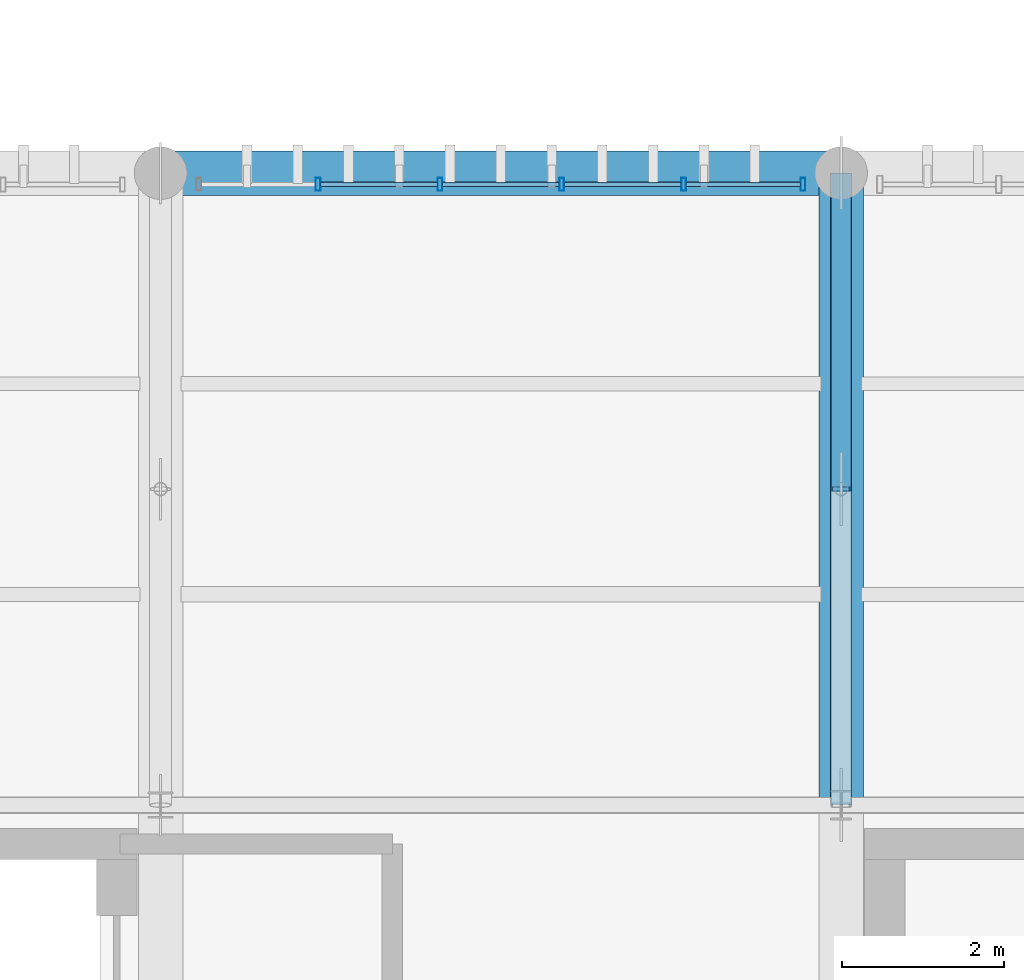
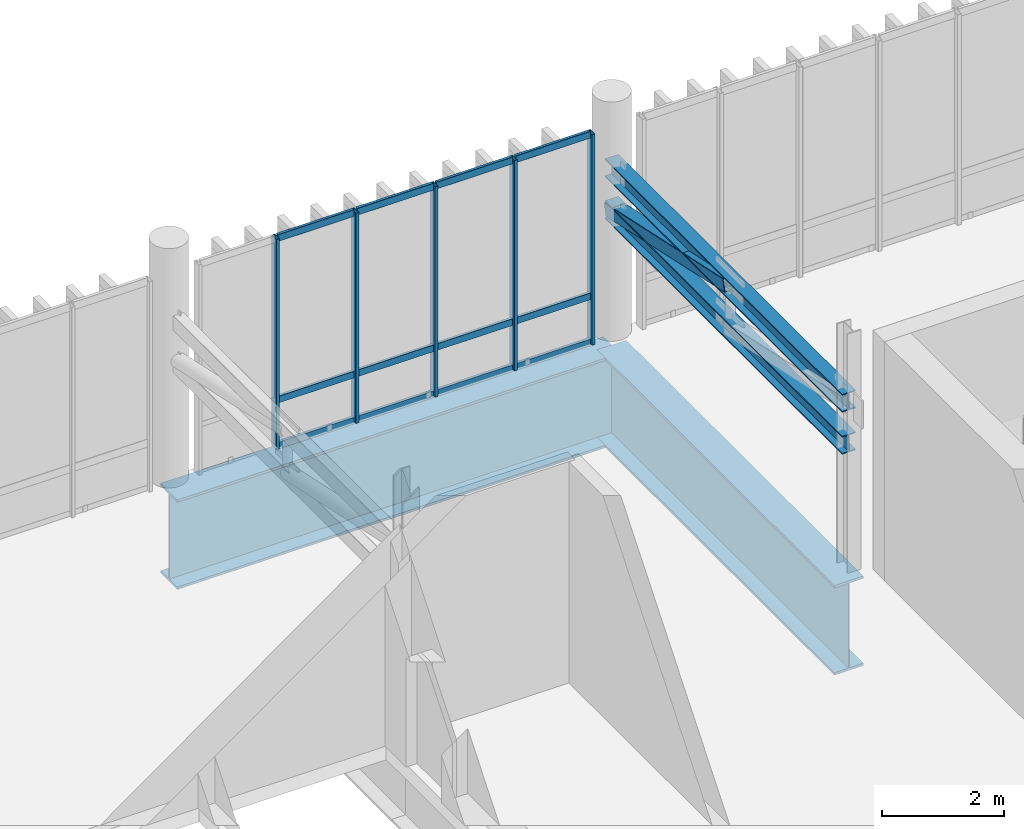
# One storey, part 17 of 81: 20 members, 2 beams, 1 element without a shape of its own.
"""IFC4 building model written with IfcOpenShell, lengths in metres."""

import ifcopenshell
import ifcopenshell.guid

model = None  # the IFC model being written
_history = None  # IfcOwnerHistory: only IFC2X3 demands one
_inside = {}  # id of a spatial element -> (the spatial element, [elements in it])
_under = {}  # id of a project, library or spatial element -> (it, [spatial elements below it])
_declared = {}  # id of a project -> (the project, [libraries it declares])
_typed = {}  # id of a type object -> (the type object, [elements of that type])
_made_of = {}  # id of a material, layer set ... -> (it, [elements and type objects made of it])


def new_model(schema):
    """Start an empty IFC model of exactly this schema.

    Asked for "IFC4X3", IfcOpenShell would pick the latest addendum, in which some entities
    have other attributes; the version numbers below select the first issue.
    IFC2X3 requires an IfcOwnerHistory on every rooted entity: one is made here for all.
    """
    global model, _history
    if schema == "IFC4X3":
        model = ifcopenshell.file(schema_version=(4, 3, 0, 0))
    else:
        model = ifcopenshell.file(schema=schema)
    _inside.clear()
    _under.clear()
    _declared.clear()
    _typed.clear()
    _made_of.clear()
    _history = None
    if model.schema == "IFC2X3":
        org = make("IfcOrganization", Name="unknown")
        user = make(
            "IfcPersonAndOrganization",
            ThePerson=make("IfcPerson", FamilyName="unknown"),
            TheOrganization=org,
        )
        app = make(
            "IfcApplication",
            ApplicationDeveloper=org,
            Version="unknown",
            ApplicationFullName="unknown",
            ApplicationIdentifier="unknown",
        )
        _history = make(
            "IfcOwnerHistory",
            OwningUser=user,
            OwningApplication=app,
            ChangeAction="ADDED",
            CreationDate=0,
        )
    return model


def make(cls, **values):
    """One entity of the class cls with the attributes given. An attribute that is None is left unset."""
    return model.create_entity(
        cls, **{name: value for name, value in values.items() if value is not None}
    )


def rooted(cls, **values):
    """An entity with a GlobalId (a new one), such as an element, a storey or a relation."""
    return make(cls, GlobalId=ifcopenshell.guid.new(), OwnerHistory=_history, **values)


def si_unit(unit_type, name, prefix=None):
    """IfcSIUnit, for example si_unit("LENGTHUNIT", "METRE", prefix="MILLI")."""
    return make("IfcSIUnit", UnitType=unit_type, Prefix=prefix, Name=name)


def assignment(units):
    """IfcUnitAssignment: the units of a project."""
    return None if units is None else make("IfcUnitAssignment", Units=units)


def point(xyz):
    """IfcCartesianPoint."""
    return None if xyz is None else make("IfcCartesianPoint", Coordinates=xyz)


def direction(xyz):
    """IfcDirection."""
    return None if xyz is None else make("IfcDirection", DirectionRatios=xyz)


def frame(location, z_axis=None, x_axis=None):
    """IfcAxis2Placement3D, a coordinate frame: its origin and axes. An axis left out is left unset."""
    return make(
        "IfcAxis2Placement3D",
        Location=point(location),
        Axis=direction(z_axis),
        RefDirection=direction(x_axis),
    )


def frame_2d(location, x_axis=None):
    """IfcAxis2Placement2D, a coordinate frame in the plane: its origin and x axis."""
    return make(
        "IfcAxis2Placement2D", Location=point(location), RefDirection=direction(x_axis)
    )


def origin_with_axes():
    """The frame at (0, 0, 0) with the z axis (0, 0, 1) and the x axis (1, 0, 0) written out."""
    return frame((0.0, 0.0, 0.0), z_axis=(0.0, 0.0, 1.0), x_axis=(1.0, 0.0, 0.0))


def origin_2d_with_axis():
    """The frame at (0, 0) in the plane with the x axis (1, 0) written out."""
    return frame_2d((0.0, 0.0), x_axis=(1.0, 0.0))


def place(relative_to, where):
    """IfcLocalPlacement: puts the frame where relative to a parent placement (None: the world)."""
    return make(
        "IfcLocalPlacement", PlacementRelTo=relative_to, RelativePlacement=where
    )


def context(
    kind, dimensions, precision=None, world=None, true_north=None, identifier=None
):
    """IfcGeometricRepresentationContext, for example the 3D "Model" context."""
    return make(
        "IfcGeometricRepresentationContext",
        ContextIdentifier=identifier,
        ContextType=kind,
        CoordinateSpaceDimension=dimensions,
        Precision=precision,
        WorldCoordinateSystem=world,
        TrueNorth=true_north,
    )


def subcontext(parent, identifier, kind, view, scale=None):
    """IfcGeometricRepresentationSubContext, for example "Body" below "Model"."""
    return make(
        "IfcGeometricRepresentationSubContext",
        ContextIdentifier=identifier,
        ContextType=kind,
        ParentContext=parent,
        TargetScale=scale,
        TargetView=view,
    )


def project(units=None, contexts=None):
    """IfcProject with its units and contexts."""
    return rooted(
        "IfcProject",
        Name="project",
        RepresentationContexts=contexts,
        UnitsInContext=assignment(units),
    )


def spatial(cls, under=None, at=None, **own):
    """A site, building, storey or space (cls), placed at a placement, below another one or the project."""
    s = rooted(cls, ObjectPlacement=at, **own)
    if under is not None:
        _under.setdefault(under.id(), (under, []))[1].append(s)
    return s


def profile(cls, at=None, kind="AREA", **sizes):
    """A parametric profile (cls). Its sizes go by their IFC names, for example OverallWidth=200.0."""
    return make(cls, ProfileType=kind, Position=at, **sizes)


def hollow_rectangle(**sizes):
    """IfcRectangleHollowProfileDef."""
    return profile("IfcRectangleHollowProfileDef", **sizes)


def i_section(**sizes):
    """IfcIShapeProfileDef."""
    return profile("IfcIShapeProfileDef", **sizes)


def extrude(swept, where, along, depth):
    """IfcExtrudedAreaSolid: the profile swept, set in the frame where, extruded along a direction by depth."""
    return make(
        "IfcExtrudedAreaSolid",
        SweptArea=swept,
        Position=where,
        ExtrudedDirection=direction(along),
        Depth=depth,
    )


def shape(context_of_items, identifier, shape_type, items):
    """IfcShapeRepresentation: the items that make up one representation, for example the "Body"."""
    return make(
        "IfcShapeRepresentation",
        ContextOfItems=context_of_items,
        RepresentationIdentifier=identifier,
        RepresentationType=shape_type,
        Items=items,
    )


def material(Name=None, Category=None):
    """IfcMaterial."""
    return make("IfcMaterial", Name=Name, Category=Category)


def material_profile(
    of_material, cross_section, Name=None, Category=None, Priority=None
):
    """IfcMaterialProfile: a cross section and its material."""
    return make(
        "IfcMaterialProfile",
        Name=Name,
        Material=of_material,
        Profile=cross_section,
        Priority=Priority,
        Category=Category,
    )


def profile_set(profiles, Name=None, composite=None):
    """IfcMaterialProfileSet."""
    return make(
        "IfcMaterialProfileSet",
        Name=Name,
        MaterialProfiles=profiles,
        CompositeProfile=composite,
    )


def made_of(thing, what):
    """Note that an element or type object is made of a material, layer set ...; save() writes the relation."""
    if what is not None:
        _made_of.setdefault(what.id(), (what, []))[1].append(thing)
    return thing


def type_object(cls, material=None, **own):
    """A type object (cls), such as IfcWallType, which elements share."""
    return made_of(rooted(cls, **own), material)


def element(
    cls,
    number,
    at=None,
    inside=None,
    cuts=None,
    type_object=None,
    material=None,
    context=None,
    identifier="Body",
    shape_type=None,
    held_by="IfcProductDefinitionShape",
    body=None,
    shapes=None,
    **own,
):
    """One element of the class cls, such as IfcWall. Its Tag is "e" and its number.

    at: its placement. inside: the storey or other place that contains it. cuts: it is an
    opening in that element (IfcRelVoidsElement). A single representation is given by context,
    identifier, shape_type and body (its items); several are given by shapes. held_by: the class
    of the entity that holds the representations. save() writes the other relations.
    """
    e = rooted(cls, Tag="e%d" % number, ObjectPlacement=at, **own)
    if body is not None:
        shapes = [shape(context, identifier, shape_type, body)]
    if shapes is not None:
        e.Representation = make(held_by, Representations=shapes)
    if inside is not None:
        _inside.setdefault(inside.id(), (inside, []))[1].append(e)
    if cuts is not None:
        rooted(
            "IfcRelVoidsElement", RelatingBuildingElement=cuts, RelatedOpeningElement=e
        )
    if type_object is not None:
        _typed.setdefault(type_object.id(), (type_object, []))[1].append(e)
    return made_of(e, material)


def aggregate(whole, parts):
    """IfcRelAggregates: a whole, such as a stair, and the parts it consists of."""
    return rooted("IfcRelAggregates", RelatingObject=whole, RelatedObjects=parts)


def save(model, path):
    """Write the relations noted so far, then the file.

    IfcRelAggregates (storeys below a building ...), IfcRelContainedInSpatialStructure (elements
    in a storey), IfcRelDefinesByType, IfcRelAssociatesMaterial and IfcRelDeclares: one each for
    every whole, place, type object, material and project.
    """
    for whole, parts in _under.values():
        aggregate(whole, parts)
    for where, things in _inside.values():
        rooted(
            "IfcRelContainedInSpatialStructure",
            RelatedElements=things,
            RelatingStructure=where,
        )
    for kind, things in _typed.values():
        rooted("IfcRelDefinesByType", RelatedObjects=things, RelatingType=kind)
    for what, things in _made_of.values():
        rooted("IfcRelAssociatesMaterial", RelatedObjects=things, RelatingMaterial=what)
    for by, libraries in _declared.values():
        rooted("IfcRelDeclares", RelatingContext=by, RelatedDefinitions=libraries)
    model.write(path)


model = new_model("IFC4")

# Units and contexts
model_context = context("Model", 3, precision=1e-05, world=origin_with_axes(), true_north=direction((0.0, 1.0)))
body_context = subcontext(model_context, "Body", "Model", "MODEL_VIEW")
ifc_project = project(units=[si_unit("LENGTHUNIT", "METRE"), si_unit("AREAUNIT", "SQUARE_METRE"), si_unit("VOLUMEUNIT", "CUBIC_METRE"), si_unit("PLANEANGLEUNIT", "RADIAN"), si_unit("MASSUNIT", "GRAM", prefix="KILO"), si_unit("THERMODYNAMICTEMPERATUREUNIT", "KELVIN")], contexts=[model_context])

# Site, building, storey
site_placement = place(None, origin_with_axes())
site = spatial("IfcSite", under=ifc_project, at=site_placement, CompositionType="ELEMENT")
building_placement = place(site_placement, origin_with_axes())
building = spatial("IfcBuilding", under=site, at=building_placement, Name="Montbau Bow Law Courts", CompositionType="ELEMENT")
storey_placement = place(building_placement, frame((0.0, 0.0, 24.9), z_axis=(0.0, 0.0, 1.0), x_axis=(1.0, 0.0, 0.0)))
storey = spatial("IfcBuildingStorey", under=building, at=storey_placement, Name="L05", CompositionType="ELEMENT", Elevation=24.9)

# Beams
ifc_material_1 = material(Name="Steel CSA G40.21 Grade 350WT (350 MPa)", Category="steel")
ifc_material_profile_1 = material_profile(ifc_material_1, i_section(OverallWidth=0.55, OverallDepth=1.8, WebThickness=0.022, FlangeThickness=0.05, at=origin_2d_with_axis()), Name="WWF1800X550", Category="Main", Priority=0)
ifc_profile_set_1 = profile_set([ifc_material_profile_1], Name="Steel CSA G40.21 Grade 350WT (350 MPa)")
beam_type = type_object("IfcBeamType", Name="B-TRG-01", PredefinedType="USERDEFINED", material=ifc_profile_set_1)
beam_1_placement = place(None, frame((30.6, 54.6, 23.7), z_axis=(0.0, 1.0, 0.0), x_axis=(-1.0, 0.0, 0.0)))
element("IfcBeam", 1, at=beam_1_placement, inside=storey, type_object=beam_type, Name="TRG-L05-S0038:bm2_0041", ObjectType="GIRDER", PredefinedType="USERDEFINED", context=body_context, shape_type="SweptSolid", body=[
    extrude(i_section(OverallWidth=0.55, OverallDepth=1.8, WebThickness=0.022, FlangeThickness=0.05, at=origin_2d_with_axis()), origin_with_axes(), (0.0, 0.0, 1.0), 7.8),
])
beam_2_placement = place(None, frame((22.2, 62.4, 23.7), z_axis=(1.0, 0.0, 0.0), x_axis=(0.0, 1.0, 0.0)))
element("IfcBeam", 2, at=beam_2_placement, inside=storey, type_object=beam_type, Name="TRG-L05-S0047:bm2_0050", ObjectType="GIRDER", PredefinedType="USERDEFINED", context=body_context, shape_type="SweptSolid", body=[
    extrude(i_section(OverallWidth=0.55, OverallDepth=1.8, WebThickness=0.022, FlangeThickness=0.05, at=origin_2d_with_axis()), origin_with_axes(), (0.0, 0.0, 1.0), 8.4),
])

# Members
ifc_material_2 = material(Name="Steel CSA G40.21 Grade 350W (350 MPa)", Category="steel")
ifc_material_profile_2 = material_profile(ifc_material_2, hollow_rectangle(XDim=0.254, YDim=0.254, WallThickness=0.0127, InnerFilletRadius=0.0254, OuterFilletRadius=0.0127, at=origin_2d_with_axis()), Name="HSS254X254X13", Category="Main", Priority=0)
ifc_profile_set_2 = profile_set([ifc_material_profile_2], Name="Steel CSA G40.21 Grade 350W (350 MPa)")
member_type_1 = type_object("IfcMemberType", Name="M-BRC-01", PredefinedType="BRACE", material=ifc_profile_set_2)
member_1_placement = place(None, frame((30.6, 58.5, 28.2), z_axis=(0.0, 0.977581781, -0.210556076), x_axis=(-1.0, 0.0, 0.0)))
element("IfcMember", 3, at=member_1_placement, inside=storey, type_object=member_type_1, Name="Diagonal brace BRC-L05-008", PredefinedType="BRACE", context=body_context, shape_type="SweptSolid", body=[
    extrude(hollow_rectangle(XDim=0.254, YDim=0.254, WallThickness=0.0127, InnerFilletRadius=0.0254, OuterFilletRadius=0.0127, at=origin_2d_with_axis()), origin_with_axes(), (0.0, 0.0, 1.0), 3.989436),
])
ifc_material_profile_3 = material_profile(ifc_material_1, i_section(OverallWidth=0.257, OverallDepth=0.363, WebThickness=0.013, FlangeThickness=0.0217, at=origin_2d_with_axis()), Name="W360X122", Category="Main", Priority=0)
ifc_profile_set_3 = profile_set([ifc_material_profile_3], Name="Steel CSA G40.21 Grade 350WT (350 MPa)")
member_type_2 = type_object("IfcMemberType", Name="M-CHD-01", PredefinedType="CHORD", material=ifc_profile_set_3)
for number, where, z_axis, x_axis, name in (
    (4, (30.6, 54.6, 27.36), (0.0, 1.0, 0.0), (-1.0, 0.0, 0.0), "CHB-L05-04:chb_0004"),
    (5, (30.6, 54.6, 28.2), (0.0, 1.0, 0.0), (-1.0, 0.0, 0.0), "CHD-L05-04:mbr_0013"),
):
    element("IfcMember", number, at=place(None, frame(where, z_axis=z_axis, x_axis=x_axis)), inside=storey, type_object=member_type_2, Name=name, PredefinedType="CHORD", context=body_context, shape_type="SweptSolid", body=[
        extrude(i_section(OverallWidth=0.257, OverallDepth=0.363, WebThickness=0.013, FlangeThickness=0.0217, at=origin_2d_with_axis()), origin_with_axes(), (0.0, 0.0, 1.0), 7.8),
    ])

# Curtain wall, members
ifc_material_3 = material(Name="Thermally Broken Extruded Aluminium AA 6063-T6", Category="aluminium")
curtain_wall_type = type_object("IfcCurtainWallType", Name="CW-TRC-02", PredefinedType="NOTDEFINED", material=ifc_material_3)
curtain_wall_placement = place(None, frame((22.64, 62.26, 24.9), z_axis=(0.0, 0.0, 1.0), x_axis=(1.0, 0.0, 0.0)))
curtain_wall = element("IfcCurtainWall", 6, at=curtain_wall_placement, inside=storey, type_object=curtain_wall_type, Name="CW-L05-083:cw_0083", PredefinedType="NOTDEFINED")
ifc_material_profile_4 = material_profile(ifc_material_3, hollow_rectangle(XDim=0.06, YDim=0.16, WallThickness=0.004, InnerFilletRadius=0.008, OuterFilletRadius=0.004, at=origin_2d_with_axis()), Name="CWM-160X60", Category="Main", Priority=0)
ifc_profile_set_4 = profile_set([ifc_material_profile_4], Name="Thermally Broken Extruded Aluminium AA 6063-T6")
member_type_3 = type_object("IfcMemberType", Name="M-MUL-03", PredefinedType="MULLION", material=ifc_profile_set_4)
member_2_placement = place(None, frame((24.144, 62.26, 24.9), z_axis=(0.0, 0.0, 1.0), x_axis=(1.0, 0.0, 0.0)))
member_2 = element("IfcMember", 7, at=member_2_placement, type_object=member_type_3, Name="CW-L05-083-M02:cw_0083_M02", PredefinedType="MULLION", context=body_context, shape_type="SweptSolid", body=[
    extrude(hollow_rectangle(XDim=0.06, YDim=0.16, WallThickness=0.004, InnerFilletRadius=0.008, OuterFilletRadius=0.004, at=origin_2d_with_axis()), origin_with_axes(), (0.0, 0.0, 1.0), 4.22),
])
member_3_placement = place(None, frame((25.648, 62.26, 24.9), z_axis=(0.0, 0.0, 1.0), x_axis=(1.0, 0.0, 0.0)))
member_3 = element("IfcMember", 8, at=member_3_placement, type_object=member_type_3, Name="CW-L05-083-M03:cw_0083_M03", PredefinedType="MULLION", context=body_context, shape_type="SweptSolid", body=[
    extrude(hollow_rectangle(XDim=0.06, YDim=0.16, WallThickness=0.004, InnerFilletRadius=0.008, OuterFilletRadius=0.004, at=origin_2d_with_axis()), origin_with_axes(), (0.0, 0.0, 1.0), 4.22),
])
member_4_placement = place(None, frame((27.152, 62.26, 24.9), z_axis=(0.0, 0.0, 1.0), x_axis=(1.0, 0.0, 0.0)))
member_4 = element("IfcMember", 9, at=member_4_placement, type_object=member_type_3, Name="CW-L05-083-M04:cw_0083_M04", PredefinedType="MULLION", context=body_context, shape_type="SweptSolid", body=[
    extrude(hollow_rectangle(XDim=0.06, YDim=0.16, WallThickness=0.004, InnerFilletRadius=0.008, OuterFilletRadius=0.004, at=origin_2d_with_axis()), origin_with_axes(), (0.0, 0.0, 1.0), 4.22),
])
member_5_placement = place(None, frame((28.656, 62.26, 24.9), z_axis=(0.0, 0.0, 1.0), x_axis=(1.0, 0.0, 0.0)))
member_5 = element("IfcMember", 10, at=member_5_placement, type_object=member_type_3, Name="CW-L05-083-M05:cw_0083_M05", PredefinedType="MULLION", context=body_context, shape_type="SweptSolid", body=[
    extrude(hollow_rectangle(XDim=0.06, YDim=0.16, WallThickness=0.004, InnerFilletRadius=0.008, OuterFilletRadius=0.004, at=origin_2d_with_axis()), origin_with_axes(), (0.0, 0.0, 1.0), 4.22),
])
member_6_placement = place(None, frame((30.13, 62.26, 24.9), z_axis=(0.0, 0.0, 1.0), x_axis=(1.0, 0.0, 0.0)))
member_6 = element("IfcMember", 11, at=member_6_placement, type_object=member_type_3, Name="CW-L05-083-M06:cw_0083_M06", PredefinedType="MULLION", context=body_context, shape_type="SweptSolid", body=[
    extrude(hollow_rectangle(XDim=0.06, YDim=0.16, WallThickness=0.004, InnerFilletRadius=0.008, OuterFilletRadius=0.004, at=origin_2d_with_axis()), origin_with_axes(), (0.0, 0.0, 1.0), 4.22),
])
ifc_material_profile_5 = material_profile(ifc_material_3, hollow_rectangle(XDim=0.055, YDim=0.14, WallThickness=0.004, InnerFilletRadius=0.008, OuterFilletRadius=0.004, at=origin_2d_with_axis()), Name="CWT-140X55", Category="Main", Priority=0)
ifc_profile_set_5 = profile_set([ifc_material_profile_5], Name="Thermally Broken Extruded Aluminium AA 6063-T6")
member_type_4 = type_object("IfcMemberType", Name="M-TRN-02", PredefinedType="USERDEFINED", material=ifc_profile_set_5)
member_7_placement = place(None, frame((24.176, 62.26, 24.927), z_axis=(1.0, 0.0, 0.0), x_axis=(0.0, 1.0, 0.0)))
member_7 = element("IfcMember", 12, at=member_7_placement, type_object=member_type_4, Name="CW-L05-083-T02-1:cw_0083_T02_1", ObjectType="TRANSOM", PredefinedType="USERDEFINED", context=body_context, shape_type="SweptSolid", body=[
    extrude(hollow_rectangle(XDim=0.055, YDim=0.14, WallThickness=0.004, InnerFilletRadius=0.008, OuterFilletRadius=0.004, at=origin_2d_with_axis()), origin_with_axes(), (0.0, 0.0, 1.0), 1.44),
])
member_8_placement = place(None, frame((24.176, 62.26, 25.85), z_axis=(1.0, 0.0, 0.0), x_axis=(0.0, 1.0, 0.0)))
member_8 = element("IfcMember", 13, at=member_8_placement, type_object=member_type_4, Name="CW-L05-083-T02-2:cw_0083_T02_2", ObjectType="TRANSOM", PredefinedType="USERDEFINED", context=body_context, shape_type="SweptSolid", body=[
    extrude(hollow_rectangle(XDim=0.055, YDim=0.14, WallThickness=0.004, InnerFilletRadius=0.008, OuterFilletRadius=0.004, at=origin_2d_with_axis()), origin_with_axes(), (0.0, 0.0, 1.0), 1.44),
])
member_9_placement = place(None, frame((24.176, 62.26, 29.093), z_axis=(1.0, 0.0, 0.0), x_axis=(0.0, 1.0, 0.0)))
member_9 = element("IfcMember", 14, at=member_9_placement, type_object=member_type_4, Name="CW-L05-083-T02-3:cw_0083_T02_3", ObjectType="TRANSOM", PredefinedType="USERDEFINED", context=body_context, shape_type="SweptSolid", body=[
    extrude(hollow_rectangle(XDim=0.055, YDim=0.14, WallThickness=0.004, InnerFilletRadius=0.008, OuterFilletRadius=0.004, at=origin_2d_with_axis()), origin_with_axes(), (0.0, 0.0, 1.0), 1.44),
])
member_10_placement = place(None, frame((25.68, 62.26, 24.927), z_axis=(1.0, 0.0, 0.0), x_axis=(0.0, 1.0, 0.0)))
member_10 = element("IfcMember", 15, at=member_10_placement, type_object=member_type_4, Name="CW-L05-083-T03-1:cw_0083_T03_1", ObjectType="TRANSOM", PredefinedType="USERDEFINED", context=body_context, shape_type="SweptSolid", body=[
    extrude(hollow_rectangle(XDim=0.055, YDim=0.14, WallThickness=0.004, InnerFilletRadius=0.008, OuterFilletRadius=0.004, at=origin_2d_with_axis()), origin_with_axes(), (0.0, 0.0, 1.0), 1.44),
])
member_11_placement = place(None, frame((25.68, 62.26, 25.85), z_axis=(1.0, 0.0, 0.0), x_axis=(0.0, 1.0, 0.0)))
member_11 = element("IfcMember", 16, at=member_11_placement, type_object=member_type_4, Name="CW-L05-083-T03-2:cw_0083_T03_2", ObjectType="TRANSOM", PredefinedType="USERDEFINED", context=body_context, shape_type="SweptSolid", body=[
    extrude(hollow_rectangle(XDim=0.055, YDim=0.14, WallThickness=0.004, InnerFilletRadius=0.008, OuterFilletRadius=0.004, at=origin_2d_with_axis()), origin_with_axes(), (0.0, 0.0, 1.0), 1.44),
])
member_12_placement = place(None, frame((25.68, 62.26, 29.093), z_axis=(1.0, 0.0, 0.0), x_axis=(0.0, 1.0, 0.0)))
member_12 = element("IfcMember", 17, at=member_12_placement, type_object=member_type_4, Name="CW-L05-083-T03-3:cw_0083_T03_3", ObjectType="TRANSOM", PredefinedType="USERDEFINED", context=body_context, shape_type="SweptSolid", body=[
    extrude(hollow_rectangle(XDim=0.055, YDim=0.14, WallThickness=0.004, InnerFilletRadius=0.008, OuterFilletRadius=0.004, at=origin_2d_with_axis()), origin_with_axes(), (0.0, 0.0, 1.0), 1.44),
])
member_13_placement = place(None, frame((27.184, 62.26, 24.927), z_axis=(1.0, 0.0, 0.0), x_axis=(0.0, 1.0, 0.0)))
member_13 = element("IfcMember", 18, at=member_13_placement, type_object=member_type_4, Name="CW-L05-083-T04-1:cw_0083_T04_1", ObjectType="TRANSOM", PredefinedType="USERDEFINED", context=body_context, shape_type="SweptSolid", body=[
    extrude(hollow_rectangle(XDim=0.055, YDim=0.14, WallThickness=0.004, InnerFilletRadius=0.008, OuterFilletRadius=0.004, at=origin_2d_with_axis()), origin_with_axes(), (0.0, 0.0, 1.0), 1.44),
])
member_14_placement = place(None, frame((27.184, 62.26, 25.85), z_axis=(1.0, 0.0, 0.0), x_axis=(0.0, 1.0, 0.0)))
member_14 = element("IfcMember", 19, at=member_14_placement, type_object=member_type_4, Name="CW-L05-083-T04-2:cw_0083_T04_2", ObjectType="TRANSOM", PredefinedType="USERDEFINED", context=body_context, shape_type="SweptSolid", body=[
    extrude(hollow_rectangle(XDim=0.055, YDim=0.14, WallThickness=0.004, InnerFilletRadius=0.008, OuterFilletRadius=0.004, at=origin_2d_with_axis()), origin_with_axes(), (0.0, 0.0, 1.0), 1.44),
])
member_15_placement = place(None, frame((27.184, 62.26, 29.093), z_axis=(1.0, 0.0, 0.0), x_axis=(0.0, 1.0, 0.0)))
member_15 = element("IfcMember", 20, at=member_15_placement, type_object=member_type_4, Name="CW-L05-083-T04-3:cw_0083_T04_3", ObjectType="TRANSOM", PredefinedType="USERDEFINED", context=body_context, shape_type="SweptSolid", body=[
    extrude(hollow_rectangle(XDim=0.055, YDim=0.14, WallThickness=0.004, InnerFilletRadius=0.008, OuterFilletRadius=0.004, at=origin_2d_with_axis()), origin_with_axes(), (0.0, 0.0, 1.0), 1.44),
])
member_16_placement = place(None, frame((28.688, 62.26, 24.927), z_axis=(1.0, 0.0, 0.0), x_axis=(0.0, 1.0, 0.0)))
member_16 = element("IfcMember", 21, at=member_16_placement, type_object=member_type_4, Name="CW-L05-083-T05-1:cw_0083_T05_1", ObjectType="TRANSOM", PredefinedType="USERDEFINED", context=body_context, shape_type="SweptSolid", body=[
    extrude(hollow_rectangle(XDim=0.055, YDim=0.14, WallThickness=0.004, InnerFilletRadius=0.008, OuterFilletRadius=0.004, at=origin_2d_with_axis()), origin_with_axes(), (0.0, 0.0, 1.0), 1.41),
])
member_17_placement = place(None, frame((28.688, 62.26, 25.85), z_axis=(1.0, 0.0, 0.0), x_axis=(0.0, 1.0, 0.0)))
member_17 = element("IfcMember", 22, at=member_17_placement, type_object=member_type_4, Name="CW-L05-083-T05-2:cw_0083_T05_2", ObjectType="TRANSOM", PredefinedType="USERDEFINED", context=body_context, shape_type="SweptSolid", body=[
    extrude(hollow_rectangle(XDim=0.055, YDim=0.14, WallThickness=0.004, InnerFilletRadius=0.008, OuterFilletRadius=0.004, at=origin_2d_with_axis()), origin_with_axes(), (0.0, 0.0, 1.0), 1.41),
])
member_18_placement = place(None, frame((28.688, 62.26, 29.093), z_axis=(1.0, 0.0, 0.0), x_axis=(0.0, 1.0, 0.0)))
member_18 = element("IfcMember", 23, at=member_18_placement, type_object=member_type_4, Name="CW-L05-083-T05-3:cw_0083_T05_3", ObjectType="TRANSOM", PredefinedType="USERDEFINED", context=body_context, shape_type="SweptSolid", body=[
    extrude(hollow_rectangle(XDim=0.055, YDim=0.14, WallThickness=0.004, InnerFilletRadius=0.008, OuterFilletRadius=0.004, at=origin_2d_with_axis()), origin_with_axes(), (0.0, 0.0, 1.0), 1.41),
])
aggregate(curtain_wall, [member_2, member_3, member_4, member_5, member_6, member_7, member_8, member_9, member_10, member_11, member_12, member_13, member_14, member_15, member_16, member_17, member_18])

save(model, "model.ifc")
